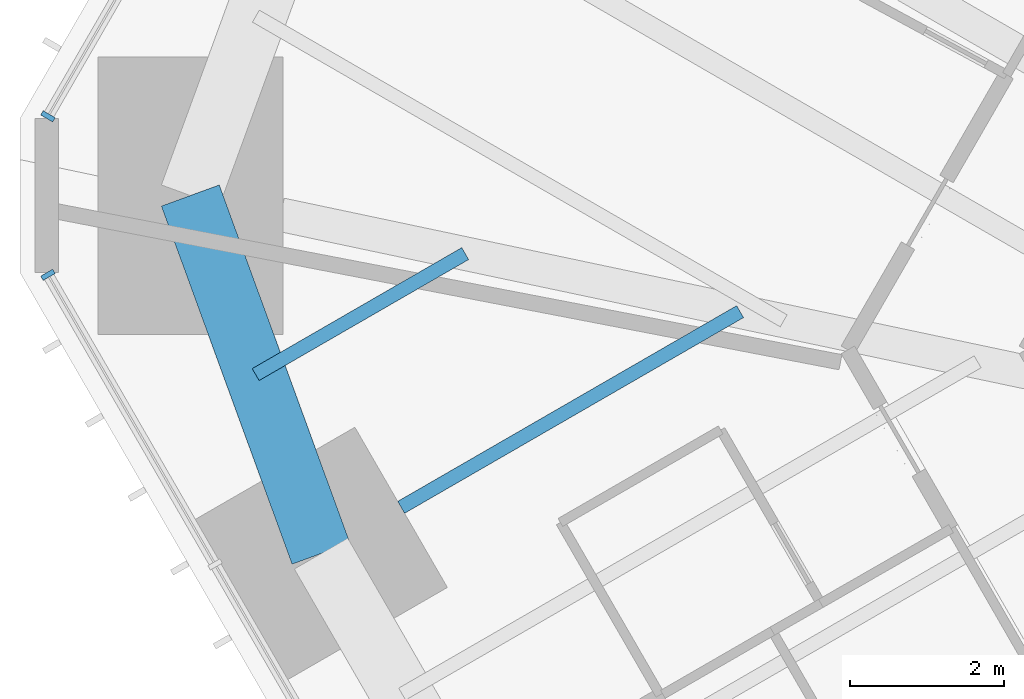
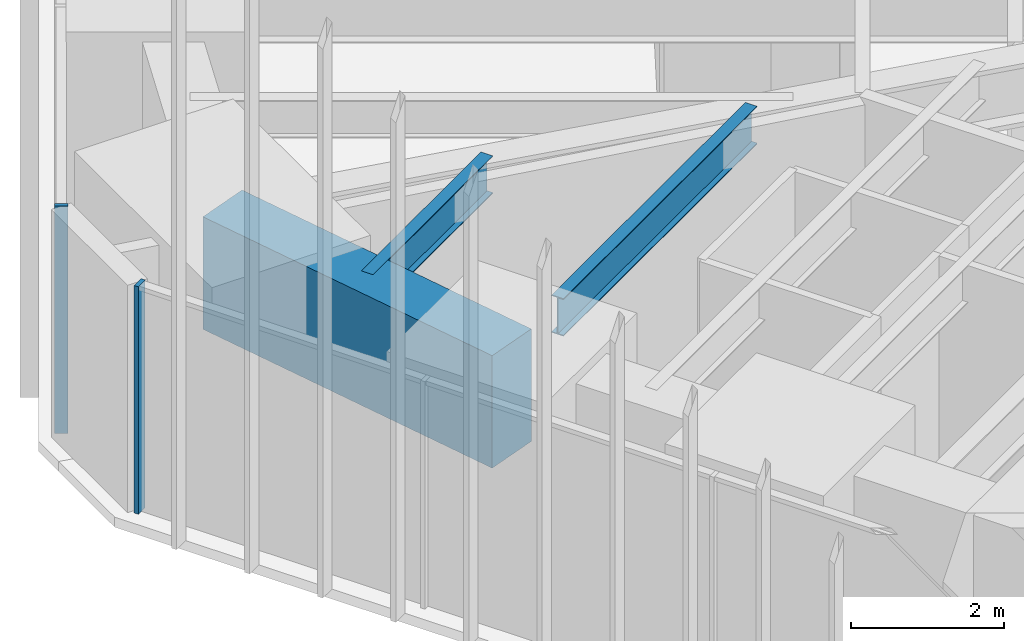
# One storey, part 135 of 256: 3 beams, 2 members, 2 elements without a shape of their own.
"""IFC4 building model written with IfcOpenShell, lengths in metres."""

from ifc_helpers import new_model, si_unit, direction, frame, origin, origin_2d, place, context, subcontext, project, spatial, rectangle, i_section, extrude, material, material_profile, profile_set, type_object, element, aggregate, save


model = new_model("IFC4")

# Units and contexts
model_context = context("Model", 3, precision=1e-05, world=origin(), true_north=direction((0.0, 1.0)))
body_context = subcontext(model_context, "Body", "Model", "MODEL_VIEW")
ifc_project = project(units=[si_unit("LENGTHUNIT", "METRE"), si_unit("AREAUNIT", "SQUARE_METRE"), si_unit("VOLUMEUNIT", "CUBIC_METRE"), si_unit("PLANEANGLEUNIT", "RADIAN"), si_unit("MASSUNIT", "GRAM", prefix="KILO")], contexts=[model_context])

# Site, building, storey
site_placement = place(None, origin())
site = spatial("IfcSite", under=ifc_project, at=site_placement, CompositionType="ELEMENT")
building_placement = place(site_placement, origin())
building = spatial("IfcBuilding", under=site, at=building_placement, Name="Sandreach Pilgrim Tower", CompositionType="ELEMENT")
storey_placement = place(building_placement, frame((0.0, 0.0, 23.0)))
storey = spatial("IfcBuildingStorey", under=building, at=storey_placement, Name="L04", CompositionType="ELEMENT", Elevation=23.0)

# Curtain wall, member
ifc_material_1 = material(Name="Aluminium framed curtain wall", Category="aluminium")
curtain_wall_type = type_object("IfcCurtainWallType", Name="Hostel tower curtain wall", PredefinedType="NOTDEFINED", material=ifc_material_1)
curtain_wall_1_placement = place(storey_placement, origin())
curtain_wall_1 = element("IfcCurtainWall", 1, at=curtain_wall_1_placement, inside=storey, type_object=curtain_wall_type, Name="CW-1 L04 SW", PredefinedType="NOTDEFINED")
ifc_material_2 = material(Name="Aluminium extrusion", Category="aluminium")
ifc_material_profile_1 = material_profile(ifc_material_2, rectangle(XDim=0.06494140625, YDim=0.179931640625, at=origin_2d()), Name="CW-1M 65X180")
ifc_profile_set_1 = profile_set([ifc_material_profile_1], Name="Aluminium extrusion")
member_type = type_object("IfcMemberType", Name="CW-1 mullion", PredefinedType="MULLION", material=ifc_profile_set_1)
member_1_placement = place(storey_placement, frame((-30.56005859375, 5.033935546875, 0.0), z_axis=(0.0, 0.0, 1.0), x_axis=(-0.5, 0.866025403784, 0.0)))
member_1 = element("IfcMember", 2, at=member_1_placement, type_object=member_type, Name="CW-1 mullion 10", PredefinedType="MULLION", context=body_context, shape_type="SweptSolid", body=[
    extrude(rectangle(XDim=0.06494140625, YDim=0.179931640625, at=origin_2d()), origin(), (0.0, 0.0, 1.0), 3.639892578125),
])
aggregate(curtain_wall_1, [member_1])

curtain_wall_2_placement = place(storey_placement, origin())
curtain_wall_2 = element("IfcCurtainWall", 3, at=curtain_wall_2_placement, inside=storey, type_object=curtain_wall_type, Name="CW-1 L04 NW", PredefinedType="NOTDEFINED")
member_2_placement = place(storey_placement, frame((-30.56005859375, 7.09033203125, 0.0), z_axis=(0.0, 0.0, 1.0), x_axis=(0.5, 0.866025403784, 0.0)))
member_2 = element("IfcMember", 4, at=member_2_placement, type_object=member_type, Name="CW-1 mullion 1", PredefinedType="MULLION", context=body_context, shape_type="SweptSolid", body=[
    extrude(rectangle(XDim=0.06494140625, YDim=0.179931640625, at=origin_2d()), origin(), (0.0, 0.0, 1.0), 3.639892578125),
])
aggregate(curtain_wall_2, [member_2])

# Beams
ifc_material_3 = material(Name="Steel ASTM A992 Grade 50", Category="steel")
ifc_material_profile_2 = material_profile(ifc_material_3, i_section(OverallWidth=0.1787109375, OverallDepth=0.60205078125, WebThickness=0.010986328125, FlangeThickness=0.014892578125, at=origin_2d()), Name="W24X62")
ifc_profile_set_2 = profile_set([ifc_material_profile_2], Name="Steel ASTM A992 Grade 50")
beam_type_1 = type_object("IfcBeamType", Name="Floor beam W24X62", PredefinedType="BEAM", material=ifc_profile_set_2)
beam_1_placement = place(storey_placement, frame((-25.97705078125, 2.016357421875, 3.339111328125), z_axis=(0.866027897259, 0.49999568115, 0.0), x_axis=(-0.49999568115, 0.866027897259, 0.0)))
element("IfcBeam", 5, at=beam_1_placement, inside=storey, type_object=beam_type_1, Name="BM L04 F34", PredefinedType="BEAM", context=body_context, shape_type="SweptSolid", body=[
    extrude(i_section(OverallWidth=0.1787109375, OverallDepth=0.60205078125, WebThickness=0.010986328125, FlangeThickness=0.014892578125, at=origin_2d()), origin(), (0.0, 0.0, 1.0), 5.0791015625),
])
beam_2_placement = place(storey_placement, frame((-27.864501953125, 3.7392578125, 3.339111328125), z_axis=(0.866023718453, 0.500002919068, 0.0), x_axis=(-0.500002919068, 0.866023718453, 0.0)))
element("IfcBeam", 6, at=beam_2_placement, inside=storey, type_object=beam_type_1, Name="BM L04 FM34", PredefinedType="BEAM", context=body_context, shape_type="SweptSolid", body=[
    extrude(i_section(OverallWidth=0.1787109375, OverallDepth=0.60205078125, WebThickness=0.010986328125, FlangeThickness=0.014892578125, at=origin_2d()), origin(), (0.0, 0.0, 1.0), 3.1396484375),
])
ifc_material_4 = material(Name="Concrete 10000 psi", Category="concrete")
ifc_material_profile_3 = material_profile(ifc_material_4, rectangle(XDim=0.800048828125, YDim=1.800048828125, at=origin_2d()), Name="RC800X1800")
ifc_profile_set_3 = profile_set([ifc_material_profile_3], Name="Concrete 10000 psi")
beam_type_2 = type_object("IfcBeamType", Name="Spandrel beam RC800X1800", PredefinedType="SPANDREL", material=ifc_profile_set_3)
beam_3_placement = place(storey_placement, frame((-27.016357421875, 1.416259765625, 2.739990234375), z_axis=(-0.342963480301, 0.939348737786, 0.0), x_axis=(-0.939348737786, -0.342963480301, 0.0)))
element("IfcBeam", 7, at=beam_3_placement, inside=storey, type_object=beam_type_2, Name="BM L04 SP34", PredefinedType="SPANDREL", context=body_context, shape_type="SweptSolid", body=[
    extrude(rectangle(XDim=0.800048828125, YDim=1.800048828125, at=origin_2d()), origin(), (0.0, 0.0, 1.0), 4.946044921875),
])

save(model, "model.ifc")
